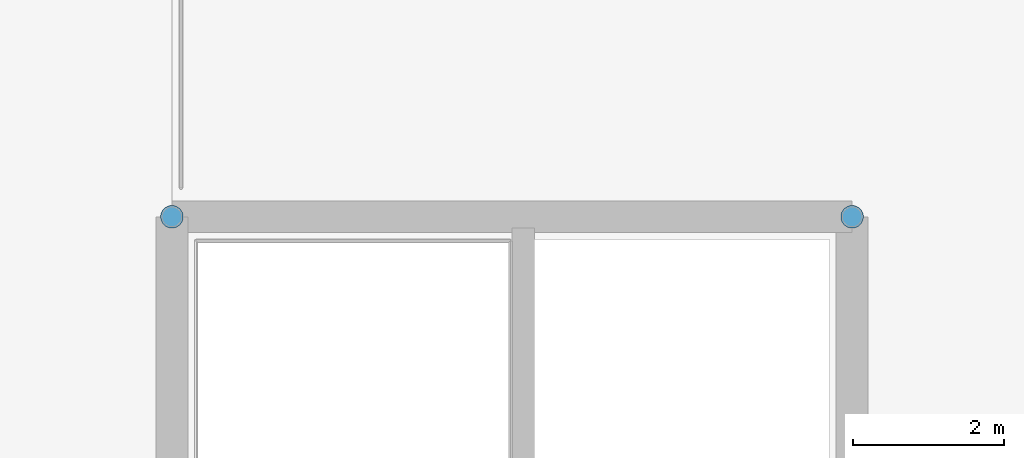
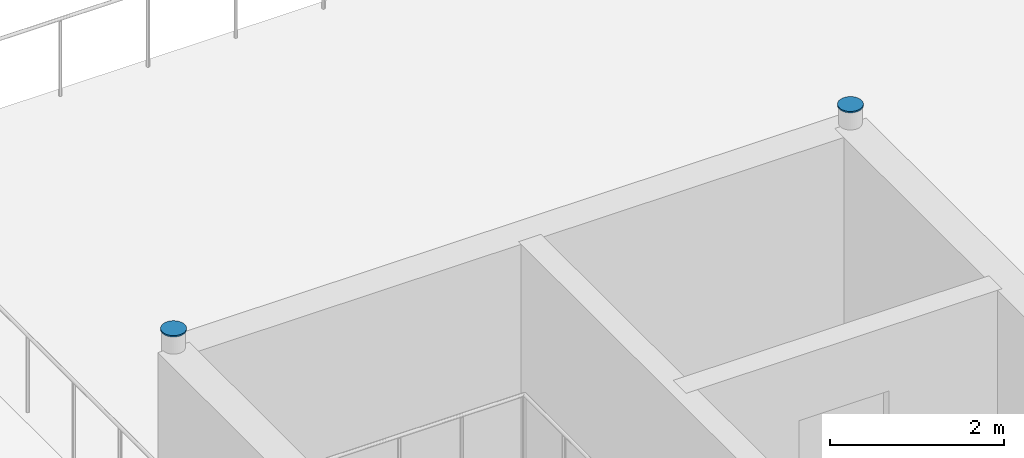
# One storey, part 85 of 91: 2 discrete accessories.
"""IFC4 building model written with IfcOpenShell, lengths in metres."""

from ifc_helpers import new_model, si_unit, direction, frame, origin, place, context, subcontext, project, spatial, polyline, outline, extrude, material, type_object, element, save


model = new_model("IFC4")

# Units and contexts
model_context = context("Model", 3, precision=1e-05, world=origin(), true_north=direction((0.0, 1.0)))
body_context = subcontext(model_context, "Body", "Model", "MODEL_VIEW")
ifc_project = project(units=[si_unit("LENGTHUNIT", "METRE"), si_unit("AREAUNIT", "SQUARE_METRE"), si_unit("VOLUMEUNIT", "CUBIC_METRE"), si_unit("PLANEANGLEUNIT", "RADIAN"), si_unit("MASSUNIT", "GRAM", prefix="KILO")], contexts=[model_context])

# Site, building, storey
site_placement = place(None, origin())
site = spatial("IfcSite", under=ifc_project, at=site_placement, CompositionType="ELEMENT")
building_placement = place(site_placement, origin())
building = spatial("IfcBuilding", under=site, at=building_placement, Name="Palais des Congres Ocreval", CompositionType="ELEMENT")
storey_placement = place(building_placement, frame((0.0, 0.0, 8.159912109375)))
storey = spatial("IfcBuildingStorey", under=building, at=storey_placement, Name="L02", CompositionType="ELEMENT", Elevation=8.159912109375)

# Discrete accessories
ifc_material = material(Name="Steel S355", Category="steel")
discrete_accessory_type = type_object("IfcDiscreteAccessoryType", Name="Column Cap Plate PL20 Steel S355", PredefinedType="USERDEFINED", material=ifc_material)
discrete_accessory_1_placement = place(storey_placement, frame((0.0, 0.0, 3.360107421875)))
element("IfcDiscreteAccessory", 1, at=discrete_accessory_1_placement, inside=storey, type_object=discrete_accessory_type, Name="Column Cap Plate PL20 C17", ObjectType="COLUMN CAP PLATE", PredefinedType="USERDEFINED", context=body_context, shape_type="SweptSolid", body=[
    extrude(outline(polyline([(108.14990234375, 54.0), (108.147216796875, 54.029296875), (108.138671875, 54.057373046875), (108.124755859375, 54.083251953125), (108.106201171875, 54.106201171875), (108.083251953125, 54.124755859375), (108.057373046875, 54.138671875), (108.029296875, 54.147216796875), (108.0, 54.14990234375), (107.970703125, 54.147216796875), (107.942626953125, 54.138671875), (107.916748046875, 54.124755859375), (107.893798828125, 54.106201171875), (107.875244140625, 54.083251953125), (107.861328125, 54.057373046875), (107.852783203125, 54.029296875), (107.85009765625, 54.0), (107.852783203125, 53.970703125), (107.861328125, 53.942626953125), (107.875244140625, 53.916748046875), (107.893798828125, 53.893798828125), (107.916748046875, 53.875244140625), (107.942626953125, 53.861328125), (107.970703125, 53.852783203125), (108.0, 53.85009765625), (108.029296875, 53.852783203125), (108.057373046875, 53.861328125), (108.083251953125, 53.875244140625), (108.106201171875, 53.893798828125), (108.124755859375, 53.916748046875), (108.138671875, 53.942626953125), (108.147216796875, 53.970703125), (108.14990234375, 54.0)])), origin(), (0.0, 0.0, 1.0), 0.02001953125),
])
discrete_accessory_2_placement = place(storey_placement, frame((0.0, 0.0, 3.360107421875)))
element("IfcDiscreteAccessory", 2, at=discrete_accessory_2_placement, inside=storey, type_object=discrete_accessory_type, Name="Column Cap Plate PL20 C17", ObjectType="COLUMN CAP PLATE", PredefinedType="USERDEFINED", context=body_context, shape_type="SweptSolid", body=[
    extrude(outline(polyline([(117.14990234375, 54.0), (117.147216796875, 54.029296875), (117.138671875, 54.057373046875), (117.124755859375, 54.083251953125), (117.106201171875, 54.106201171875), (117.083251953125, 54.124755859375), (117.057373046875, 54.138671875), (117.029296875, 54.147216796875), (117.0, 54.14990234375), (116.970703125, 54.147216796875), (116.942626953125, 54.138671875), (116.916748046875, 54.124755859375), (116.893798828125, 54.106201171875), (116.875244140625, 54.083251953125), (116.861328125, 54.057373046875), (116.852783203125, 54.029296875), (116.85009765625, 54.0), (116.852783203125, 53.970703125), (116.861328125, 53.942626953125), (116.875244140625, 53.916748046875), (116.893798828125, 53.893798828125), (116.916748046875, 53.875244140625), (116.942626953125, 53.861328125), (116.970703125, 53.852783203125), (117.0, 53.85009765625), (117.029296875, 53.852783203125), (117.057373046875, 53.861328125), (117.083251953125, 53.875244140625), (117.106201171875, 53.893798828125), (117.124755859375, 53.916748046875), (117.138671875, 53.942626953125), (117.147216796875, 53.970703125), (117.14990234375, 54.0)])), origin(), (0.0, 0.0, 1.0), 0.02001953125),
])

save(model, "model.ifc")
